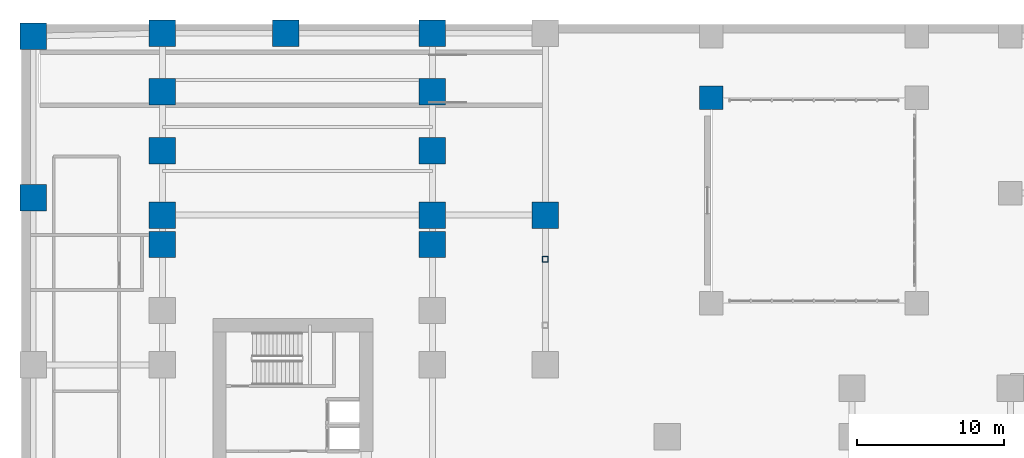
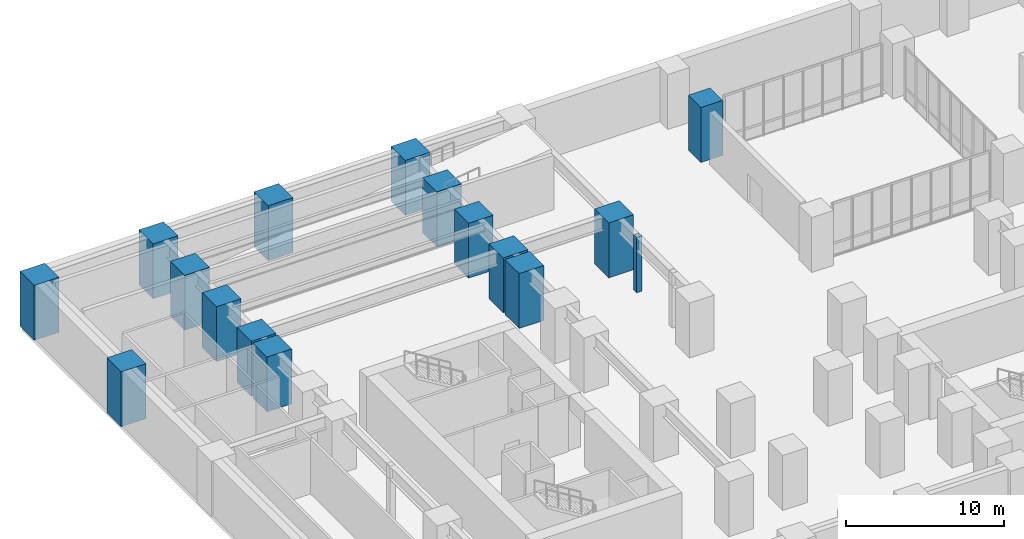
# One storey, part 3 of 18: 16 columns.
"""IFC4 building model written with IfcOpenShell, lengths in metres."""

import ifcopenshell
import ifcopenshell.guid

model = None  # the IFC model being written
_history = None  # IfcOwnerHistory: only IFC2X3 demands one
_inside = {}  # id of a spatial element -> (the spatial element, [elements in it])
_under = {}  # id of a project, library or spatial element -> (it, [spatial elements below it])
_declared = {}  # id of a project -> (the project, [libraries it declares])
_typed = {}  # id of a type object -> (the type object, [elements of that type])
_made_of = {}  # id of a material, layer set ... -> (it, [elements and type objects made of it])


def new_model(schema):
    """Start an empty IFC model of exactly this schema.

    Asked for "IFC4X3", IfcOpenShell would pick the latest addendum, in which some entities
    have other attributes; the version numbers below select the first issue.
    IFC2X3 requires an IfcOwnerHistory on every rooted entity: one is made here for all.
    """
    global model, _history
    if schema == "IFC4X3":
        model = ifcopenshell.file(schema_version=(4, 3, 0, 0))
    else:
        model = ifcopenshell.file(schema=schema)
    _inside.clear()
    _under.clear()
    _declared.clear()
    _typed.clear()
    _made_of.clear()
    _history = None
    if model.schema == "IFC2X3":
        org = make("IfcOrganization", Name="unknown")
        user = make(
            "IfcPersonAndOrganization",
            ThePerson=make("IfcPerson", FamilyName="unknown"),
            TheOrganization=org,
        )
        app = make(
            "IfcApplication",
            ApplicationDeveloper=org,
            Version="unknown",
            ApplicationFullName="unknown",
            ApplicationIdentifier="unknown",
        )
        _history = make(
            "IfcOwnerHistory",
            OwningUser=user,
            OwningApplication=app,
            ChangeAction="ADDED",
            CreationDate=0,
        )
    return model


def make(cls, **values):
    """One entity of the class cls with the attributes given. An attribute that is None is left unset."""
    return model.create_entity(
        cls, **{name: value for name, value in values.items() if value is not None}
    )


def rooted(cls, **values):
    """An entity with a GlobalId (a new one), such as an element, a storey or a relation."""
    return make(cls, GlobalId=ifcopenshell.guid.new(), OwnerHistory=_history, **values)


def si_unit(unit_type, name, prefix=None):
    """IfcSIUnit, for example si_unit("LENGTHUNIT", "METRE", prefix="MILLI")."""
    return make("IfcSIUnit", UnitType=unit_type, Prefix=prefix, Name=name)


def assignment(units):
    """IfcUnitAssignment: the units of a project."""
    return None if units is None else make("IfcUnitAssignment", Units=units)


def point(xyz):
    """IfcCartesianPoint."""
    return None if xyz is None else make("IfcCartesianPoint", Coordinates=xyz)


def direction(xyz):
    """IfcDirection."""
    return None if xyz is None else make("IfcDirection", DirectionRatios=xyz)


def frame(location, z_axis=None, x_axis=None):
    """IfcAxis2Placement3D, a coordinate frame: its origin and axes. An axis left out is left unset."""
    return make(
        "IfcAxis2Placement3D",
        Location=point(location),
        Axis=direction(z_axis),
        RefDirection=direction(x_axis),
    )


def frame_2d(location, x_axis=None):
    """IfcAxis2Placement2D, a coordinate frame in the plane: its origin and x axis."""
    return make(
        "IfcAxis2Placement2D", Location=point(location), RefDirection=direction(x_axis)
    )


def origin():
    """The frame at (0, 0, 0) with its axes left unset."""
    return frame((0.0, 0.0, 0.0))


def origin_2d():
    """The frame at (0, 0) in the plane with its x axis left unset."""
    return frame_2d((0.0, 0.0))


def place(relative_to, where):
    """IfcLocalPlacement: puts the frame where relative to a parent placement (None: the world)."""
    return make(
        "IfcLocalPlacement", PlacementRelTo=relative_to, RelativePlacement=where
    )


def context(
    kind, dimensions, precision=None, world=None, true_north=None, identifier=None
):
    """IfcGeometricRepresentationContext, for example the 3D "Model" context."""
    return make(
        "IfcGeometricRepresentationContext",
        ContextIdentifier=identifier,
        ContextType=kind,
        CoordinateSpaceDimension=dimensions,
        Precision=precision,
        WorldCoordinateSystem=world,
        TrueNorth=true_north,
    )


def subcontext(parent, identifier, kind, view, scale=None):
    """IfcGeometricRepresentationSubContext, for example "Body" below "Model"."""
    return make(
        "IfcGeometricRepresentationSubContext",
        ContextIdentifier=identifier,
        ContextType=kind,
        ParentContext=parent,
        TargetScale=scale,
        TargetView=view,
    )


def project(units=None, contexts=None):
    """IfcProject with its units and contexts."""
    return rooted(
        "IfcProject",
        Name="project",
        RepresentationContexts=contexts,
        UnitsInContext=assignment(units),
    )


def spatial(cls, under=None, at=None, **own):
    """A site, building, storey or space (cls), placed at a placement, below another one or the project."""
    s = rooted(cls, ObjectPlacement=at, **own)
    if under is not None:
        _under.setdefault(under.id(), (under, []))[1].append(s)
    return s


def profile(cls, at=None, kind="AREA", **sizes):
    """A parametric profile (cls). Its sizes go by their IFC names, for example OverallWidth=200.0."""
    return make(cls, ProfileType=kind, Position=at, **sizes)


def rectangle(**sizes):
    """IfcRectangleProfileDef."""
    return profile("IfcRectangleProfileDef", **sizes)


def hollow_rectangle(**sizes):
    """IfcRectangleHollowProfileDef."""
    return profile("IfcRectangleHollowProfileDef", **sizes)


def extrude(swept, where, along, depth):
    """IfcExtrudedAreaSolid: the profile swept, set in the frame where, extruded along a direction by depth."""
    return make(
        "IfcExtrudedAreaSolid",
        SweptArea=swept,
        Position=where,
        ExtrudedDirection=direction(along),
        Depth=depth,
    )


def shape(context_of_items, identifier, shape_type, items):
    """IfcShapeRepresentation: the items that make up one representation, for example the "Body"."""
    return make(
        "IfcShapeRepresentation",
        ContextOfItems=context_of_items,
        RepresentationIdentifier=identifier,
        RepresentationType=shape_type,
        Items=items,
    )


def source(mapping_origin, context_of_items, identifier, shape_type, items):
    """IfcRepresentationMap: a shape defined once, which mapped items show again and again."""
    return make(
        "IfcRepresentationMap",
        MappingOrigin=mapping_origin,
        MappedRepresentation=shape(context_of_items, identifier, shape_type, items),
    )


def transform(
    local_origin,
    x_axis=None,
    y_axis=None,
    z_axis=None,
    scale=None,
    scale2=None,
    scale3=None,
    uniform=True,
):
    """IfcCartesianTransformationOperator3D, or its non-uniform kind. x_axis, y_axis, z_axis: its Axis1, 2, 3."""
    if uniform:
        return make(
            "IfcCartesianTransformationOperator3D",
            Axis1=direction(x_axis),
            Axis2=direction(y_axis),
            LocalOrigin=point(local_origin),
            Scale=scale,
            Axis3=direction(z_axis),
        )
    return make(
        "IfcCartesianTransformationOperator3DnonUniform",
        Axis1=direction(x_axis),
        Axis2=direction(y_axis),
        LocalOrigin=point(local_origin),
        Scale=scale,
        Axis3=direction(z_axis),
        Scale2=scale2,
        Scale3=scale3,
    )


def mapped(mapping_source, mapping_target):
    """IfcMappedItem: shows the shape of a source again, moved by a transform."""
    return make(
        "IfcMappedItem", MappingSource=mapping_source, MappingTarget=mapping_target
    )


def material(Name=None, Category=None):
    """IfcMaterial."""
    return make("IfcMaterial", Name=Name, Category=Category)


def material_profile(
    of_material, cross_section, Name=None, Category=None, Priority=None
):
    """IfcMaterialProfile: a cross section and its material."""
    return make(
        "IfcMaterialProfile",
        Name=Name,
        Material=of_material,
        Profile=cross_section,
        Priority=Priority,
        Category=Category,
    )


def profile_set(profiles, Name=None, composite=None):
    """IfcMaterialProfileSet."""
    return make(
        "IfcMaterialProfileSet",
        Name=Name,
        MaterialProfiles=profiles,
        CompositeProfile=composite,
    )


def made_of(thing, what):
    """Note that an element or type object is made of a material, layer set ...; save() writes the relation."""
    if what is not None:
        _made_of.setdefault(what.id(), (what, []))[1].append(thing)
    return thing


def type_object(cls, material=None, **own):
    """A type object (cls), such as IfcWallType, which elements share."""
    return made_of(rooted(cls, **own), material)


def element(
    cls,
    number,
    at=None,
    inside=None,
    cuts=None,
    type_object=None,
    material=None,
    context=None,
    identifier="Body",
    shape_type=None,
    held_by="IfcProductDefinitionShape",
    body=None,
    shapes=None,
    **own,
):
    """One element of the class cls, such as IfcWall. Its Tag is "e" and its number.

    at: its placement. inside: the storey or other place that contains it. cuts: it is an
    opening in that element (IfcRelVoidsElement). A single representation is given by context,
    identifier, shape_type and body (its items); several are given by shapes. held_by: the class
    of the entity that holds the representations. save() writes the other relations.
    """
    e = rooted(cls, Tag="e%d" % number, ObjectPlacement=at, **own)
    if body is not None:
        shapes = [shape(context, identifier, shape_type, body)]
    if shapes is not None:
        e.Representation = make(held_by, Representations=shapes)
    if inside is not None:
        _inside.setdefault(inside.id(), (inside, []))[1].append(e)
    if cuts is not None:
        rooted(
            "IfcRelVoidsElement", RelatingBuildingElement=cuts, RelatedOpeningElement=e
        )
    if type_object is not None:
        _typed.setdefault(type_object.id(), (type_object, []))[1].append(e)
    return made_of(e, material)


def aggregate(whole, parts):
    """IfcRelAggregates: a whole, such as a stair, and the parts it consists of."""
    return rooted("IfcRelAggregates", RelatingObject=whole, RelatedObjects=parts)


def save(model, path):
    """Write the relations noted so far, then the file.

    IfcRelAggregates (storeys below a building ...), IfcRelContainedInSpatialStructure (elements
    in a storey), IfcRelDefinesByType, IfcRelAssociatesMaterial and IfcRelDeclares: one each for
    every whole, place, type object, material and project.
    """
    for whole, parts in _under.values():
        aggregate(whole, parts)
    for where, things in _inside.values():
        rooted(
            "IfcRelContainedInSpatialStructure",
            RelatedElements=things,
            RelatingStructure=where,
        )
    for kind, things in _typed.values():
        rooted("IfcRelDefinesByType", RelatedObjects=things, RelatingType=kind)
    for what, things in _made_of.values():
        rooted("IfcRelAssociatesMaterial", RelatedObjects=things, RelatingMaterial=what)
    for by, libraries in _declared.values():
        rooted("IfcRelDeclares", RelatingContext=by, RelatedDefinitions=libraries)
    model.write(path)


model = new_model("IFC4")

# Units and contexts
model_context = context("Model", 3, precision=1e-05, world=origin(), true_north=direction((0.0, 1.0)))
body_context = subcontext(model_context, "Body", "Model", "MODEL_VIEW")
ifc_project = project(units=[si_unit("LENGTHUNIT", "METRE"), si_unit("AREAUNIT", "SQUARE_METRE"), si_unit("VOLUMEUNIT", "CUBIC_METRE"), si_unit("PLANEANGLEUNIT", "RADIAN"), si_unit("MASSUNIT", "GRAM", prefix="KILO")], contexts=[model_context])

# Site, building, storey
site_placement = place(None, origin())
site = spatial("IfcSite", under=ifc_project, at=site_placement, CompositionType="ELEMENT")
building_placement = place(site_placement, origin())
building = spatial("IfcBuilding", under=site, at=building_placement, Name="Kharzan Plaza Tower", CompositionType="ELEMENT")
storey_placement = place(building_placement, frame((0.0, 0.0, -4.5)))
storey = spatial("IfcBuildingStorey", under=building, at=storey_placement, Name="B01", CompositionType="ELEMENT", Elevation=-4.5)

# Columns
ifc_material_1 = material(Name="Concrete C60/75", Category="concrete")
ifc_material_profile_1 = material_profile(ifc_material_1, rectangle(XDim=1.60009765625, YDim=1.60009765625, at=origin_2d()), Name="RC-MC1600x1600")
ifc_profile_set_1 = profile_set([ifc_material_profile_1], Name="Concrete C60/75")
column_type_1 = type_object("IfcColumnType", Name="COL-BC1600", PredefinedType="COLUMN", material=ifc_profile_set_1)
shared_shape_1 = source(origin(), body_context, "Body", "SweptSolid", [
    extrude(rectangle(XDim=1.60009765625, YDim=1.60009765625, at=origin_2d()), origin(), (0.0, 0.0, 1.0), 4.239990234375),
])
column_1_placement = place(storey_placement, frame((38.0, 45.0, 0.0), z_axis=(0.0, 0.0, 1.0), x_axis=(1.0, 0.0, 0.0)))
element("IfcColumn", 1, at=column_1_placement, inside=storey, type_object=column_type_1, Name="B01 Structural Column BC05", PredefinedType="COLUMN", context=body_context, shape_type="MappedRepresentation", body=[
    mapped(shared_shape_1, transform((0.0, 0.0, 0.0), x_axis=(1.0, 0.0, 0.0), y_axis=(0.0, 1.0, 0.0), z_axis=(0.0, 0.0, 1.0))),
])
ifc_material_profile_2 = material_profile(ifc_material_1, rectangle(XDim=1.800048828125, YDim=1.800048828125, at=origin_2d()), Name="RC-MC1800x1800")
ifc_profile_set_2 = profile_set([ifc_material_profile_2], Name="Concrete C60/75")
column_type_2 = type_object("IfcColumnType", Name="COL-MC1800", PredefinedType="COLUMN", material=ifc_profile_set_2)
shared_shape_2 = source(origin(), body_context, "Body", "SweptSolid", [
    extrude(rectangle(XDim=1.800048828125, YDim=1.800048828125, at=origin_2d()), origin(), (0.0, 0.0, 1.0), 4.239990234375),
])
for number, where, z_axis, x_axis, name in (
    (2, (-8.199951171875, 38.199951171875, 0.0), (0.0, 0.0, 1.0), (1.0, 0.0, 0.0), "B01 Podium Mega-Column MC02"),
    (3, (-8.199951171875, 49.199951171875, 0.0), (0.0, 0.0, 1.0), (1.0, 0.0, 0.0), "B01 Podium Mega-Column MC03"),
    (4, (0.60009765625, 35.0, 0.0), (0.0, 0.0, 1.0), (1.0, 0.0, 0.0), "B01 Podium Mega-Column MC08"),
    (5, (0.60009765625, 37.0, 0.0), (0.0, 0.0, 1.0), (1.0, 0.0, 0.0), "B01 Podium Mega-Column MC09"),
    (6, (0.60009765625, 41.39990234375, 0.0), (0.0, 0.0, 1.0), (1.0, 0.0, 0.0), "B01 Podium Mega-Column MC10"),
    (7, (0.60009765625, 45.39990234375, 0.0), (0.0, 0.0, 1.0), (1.0, 0.0, 0.0), "B01 Podium Mega-Column MC11"),
    (8, (0.60009765625, 49.39990234375, 0.0), (0.0, 0.0, 1.0), (1.0, 0.0, 0.0), "B01 Podium Mega-Column MC12"),
    (9, (9.0, 49.39990234375, 0.0), (0.0, 0.0, 1.0), (1.0, 0.0, 0.0), "B01 Podium Mega-Column MC20"),
    (10, (19.0, 49.39990234375, 0.0), (0.0, 0.0, 1.0), (1.0, 0.0, 0.0), "B01 Podium Mega-Column MC21"),
    (11, (26.699951171875, 37.0, 0.0), (0.0, 0.0, 1.0), (1.0, 0.0, 0.0), "B01 Podium Mega-Column MC24"),
    (12, (19.0, 35.0, 0.0), (0.0, 0.0, 1.0), (1.0, 0.0, 0.0), "B01 Podium Mega-Column MC41"),
    (13, (19.0, 37.0, 0.0), (0.0, 0.0, 1.0), (1.0, 0.0, 0.0), "B01 Podium Mega-Column MC42"),
    (14, (19.0, 41.39990234375, 0.0), (0.0, 0.0, 1.0), (1.0, 0.0, 0.0), "B01 Podium Mega-Column MC43"),
    (15, (19.0, 45.39990234375, 0.0), (0.0, 0.0, 1.0), (1.0, 0.0, 0.0), "B01 Podium Mega-Column MC44"),
):
    element("IfcColumn", number, at=place(storey_placement, frame(where, z_axis=z_axis, x_axis=x_axis)), inside=storey, type_object=column_type_2, Name=name, PredefinedType="COLUMN", context=body_context, shape_type="MappedRepresentation", body=[
        mapped(shared_shape_2, transform((0.0, 0.0, 0.0), x_axis=(1.0, 0.0, 0.0), y_axis=(0.0, 1.0, 0.0), z_axis=(0.0, 0.0, 1.0))),
    ])
ifc_material_2 = material(Name="Steel S355", Category="steel")
ifc_material_profile_3 = material_profile(ifc_material_2, hollow_rectangle(XDim=0.39990234375, YDim=0.39990234375, WallThickness=0.02001953125, at=origin_2d()), Name="SHS400x400x20")
ifc_profile_set_3 = profile_set([ifc_material_profile_3], Name="Steel S355")
column_type_3 = type_object("IfcColumnType", Name="COL-PIL400", PredefinedType="PILASTER", material=ifc_profile_set_3)
shared_shape_3 = source(origin(), body_context, "Body", "SweptSolid", [
    extrude(hollow_rectangle(XDim=0.39990234375, YDim=0.39990234375, WallThickness=0.02001953125, at=origin_2d()), origin(), (0.0, 0.0, 1.0), 4.239990234375),
])
column_2_placement = place(storey_placement, frame((26.699951171875, 34.0, 0.0), z_axis=(0.0, 0.0, 1.0), x_axis=(1.0, 0.0, 0.0)))
element("IfcColumn", 16, at=column_2_placement, inside=storey, type_object=column_type_3, Name="B01 Portal Steel Pilaster 2", PredefinedType="PILASTER", context=body_context, shape_type="MappedRepresentation", body=[
    mapped(shared_shape_3, transform((0.0, 0.0, 0.0), x_axis=(1.0, 0.0, 0.0), y_axis=(0.0, 1.0, 0.0), z_axis=(0.0, 0.0, 1.0))),
])

save(model, "model.ifc")
